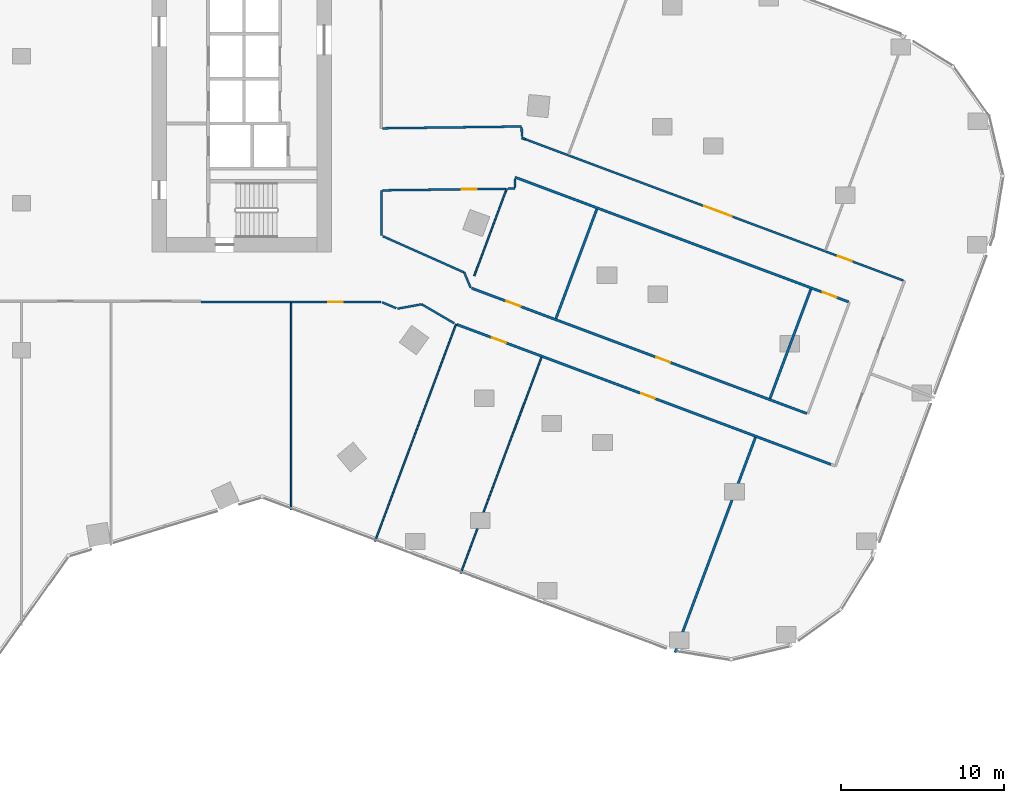
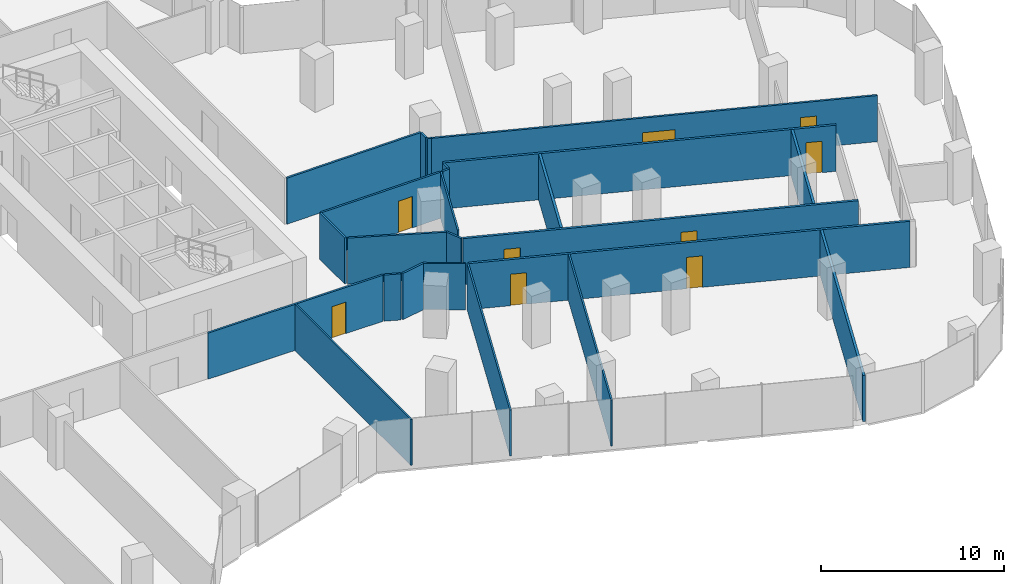
# One storey, part 26 of 31: 24 walls, 9 doors, 9 openings.
"""IFC4 building model written with IfcOpenShell, lengths in metres."""

from ifc_helpers import new_model, si_unit, direction, frame, frame_2d, origin, place, context, subcontext, project, spatial, rectangle, extrude, material, layer, layer_set, type_object, element, fill, save


model = new_model("IFC4")

# Units and contexts
model_context = context("Model", 3, precision=1e-05, world=origin(), true_north=direction((0.0, 1.0)))
body_context = subcontext(model_context, "Body", "Model", "MODEL_VIEW")
ifc_project = project(units=[si_unit("LENGTHUNIT", "METRE"), si_unit("AREAUNIT", "SQUARE_METRE"), si_unit("VOLUMEUNIT", "CUBIC_METRE"), si_unit("PLANEANGLEUNIT", "RADIAN"), si_unit("MASSUNIT", "GRAM", prefix="KILO")], contexts=[model_context])

# Site, building, storey
site_placement = place(None, origin())
site = spatial("IfcSite", under=ifc_project, at=site_placement, CompositionType="ELEMENT")
building_placement = place(site_placement, origin())
building = spatial("IfcBuilding", under=site, at=building_placement, Name="Orlundy Tower", CompositionType="ELEMENT")
storey_placement = place(building_placement, frame((0.0, 0.0, 94.699951171875)))
storey = spatial("IfcBuildingStorey", under=building, at=storey_placement, Name="L23", CompositionType="ELEMENT", Elevation=94.699951171875)

# Walls
ifc_material_1 = material(Name="Gypsum board partition")
ifc_layer_1 = layer(ifc_material_1, 0.10009765625)
ifc_layer_set_1 = layer_set([ifc_layer_1], Name="Floor partition 100")
wall_type_1 = type_object("IfcWallType", Name="Floor partition 100", PredefinedType="PARTITIONING", material=ifc_layer_set_1)
wall_1_placement = place(storey_placement, frame((26.909912109375, -31.679931640625, 0.0), z_axis=(0.0, 0.0, 1.0), x_axis=(0.350179920227, 0.936682456049, 0.0)))
element("IfcWall", 1, at=wall_1_placement, inside=storey, type_object=wall_type_1, Name="wall-int-L23-066", PredefinedType="PARTITIONING", context=body_context, shape_type="SweptSolid", body=[
    extrude(rectangle(XDim=14.124267578125, YDim=0.10009765625, at=frame_2d((7.06201171875, 0.0))), origin(), (0.0, 0.0, 1.0), 3.080078125),
])
wall_2_placement = place(storey_placement, frame((21.657958984375, -29.717041015625, 0.0), z_axis=(0.0, 0.0, 1.0), x_axis=(0.350213245568, 0.936669996652, 0.0)))
element("IfcWall", 2, at=wall_2_placement, inside=storey, type_object=wall_type_1, Name="wall-int-L23-069", PredefinedType="PARTITIONING", context=body_context, shape_type="SweptSolid", body=[
    extrude(rectangle(XDim=14.200439453125, YDim=0.10009765625, at=frame_2d((7.10009765625, 0.0))), origin(), (0.0, 0.0, 1.0), 3.080078125),
])
wall_3_placement = place(storey_placement, frame((27.741943359375, -13.445068359375, 0.0), z_axis=(0.0, 0.0, 1.0), x_axis=(0.350126252707, 0.936702517967, 0.0)))
element("IfcWall", 3, at=wall_3_placement, inside=storey, type_object=wall_type_1, Name="wall-int-L23-070", PredefinedType="PARTITIONING", context=body_context, shape_type="SweptSolid", body=[
    extrude(rectangle(XDim=5.689208984375, YDim=0.10009765625, at=frame_2d((2.8447265625, 0.0))), origin(), (0.0, 0.0, 1.0), 3.080078125),
])
wall_4_placement = place(storey_placement, frame((16.51806640625, -27.794921875, 0.0), z_axis=(0.0, 0.0, 1.0), x_axis=(0.0, 1.0, 0.0)))
element("IfcWall", 4, at=wall_4_placement, inside=storey, type_object=wall_type_1, Name="wall-int-L23-077", PredefinedType="PARTITIONING", context=body_context, shape_type="SweptSolid", body=[
    extrude(rectangle(XDim=12.680908203125, YDim=0.10009765625, at=frame_2d((6.34033203125, 0.0))), origin(), (0.0, 0.0, 1.0), 3.080078125),
])
ifc_material_2 = material(Name="Gypsum board partition, double layer")
ifc_layer_2 = layer(ifc_material_2, 0.125)
ifc_layer_set_2 = layer_set([ifc_layer_2], Name="Floor partition 125")
wall_type_2 = type_object("IfcWallType", Name="Floor partition 125", PredefinedType="PARTITIONING", material=ifc_layer_set_2)
wall_5_placement = place(storey_placement, frame((30.239990234375, -7.514892578125, 0.0), z_axis=(0.0, 0.0, 1.0), x_axis=(0.013301575401, -0.999911530132, 0.0)))
element("IfcWall", 5, at=wall_5_placement, inside=storey, type_object=wall_type_2, Name="wall-int-L23-001", PredefinedType="PARTITIONING", context=body_context, shape_type="SweptSolid", body=[
    extrude(rectangle(XDim=0.5322265625, YDim=0.125, at=frame_2d((0.26611328125, 0.0))), origin(), (0.0, 0.0, 1.0), 3.080078125),
])
wall_6_placement = place(storey_placement, frame((30.64990234375, -4.365966796875, 0.0), z_axis=(0.0, 0.0, 1.0), x_axis=(0.012962701582, -0.999915980654, 0.0)))
element("IfcWall", 6, at=wall_6_placement, inside=storey, type_object=wall_type_2, Name="wall-int-L23-002", PredefinedType="PARTITIONING", context=body_context, shape_type="SweptSolid", body=[
    extrude(rectangle(XDim=0.546142578125, YDim=0.125, at=frame_2d((0.27294921875, 0.0))), origin(), (0.0, 0.0, 1.0), 3.080078125),
])
wall_7_placement = place(storey_placement, frame((24.52099609375, -15.194091796875, 0.0), z_axis=(0.0, 0.0, 1.0), x_axis=(0.863352795858, -0.504600782683, 0.0)))
element("IfcWall", 7, at=wall_7_placement, inside=storey, type_object=wall_type_2, Name="wall-int-L23-006", PredefinedType="PARTITIONING", context=body_context, shape_type="SweptSolid", body=[
    extrude(rectangle(XDim=2.308349609375, YDim=0.125, at=frame_2d((1.154296875, 0.0))), origin(), (0.0, 0.0, 1.0), 3.080078125),
])
wall_8_placement = place(storey_placement, frame((22.962890625, -15.43505859375, 0.0), z_axis=(0.0, 0.0, 1.0), x_axis=(-0.922689792095, 0.385543185082, 0.0)))
element("IfcWall", 8, at=wall_8_placement, inside=storey, type_object=wall_type_2, Name="wall-int-L23-020", PredefinedType="PARTITIONING", context=body_context, shape_type="SweptSolid", body=[
    extrude(rectangle(XDim=0.93408203125, YDim=0.125, at=frame_2d((0.467041015625, 0.0))), origin(), (0.0, 0.0, 1.0), 3.080078125),
])
wall_9_placement = place(storey_placement, frame((27.1298828125, -13.2470703125, 0.0), z_axis=(0.0, 0.0, 1.0), x_axis=(-0.913542302976, 0.406743728498, 0.0)))
element("IfcWall", 9, at=wall_9_placement, inside=storey, type_object=wall_type_2, Name="wall-int-L23-021", PredefinedType="PARTITIONING", context=body_context, shape_type="SweptSolid", body=[
    extrude(rectangle(XDim=5.46337890625, YDim=0.125, at=frame_2d((2.731689453125, 0.0))), origin(), (0.0, 0.0, 1.0), 3.080078125),
])

# Wall, openings, doors
wall_10_placement = place(storey_placement, frame((30.868896484375, -5.08203125, 0.0), z_axis=(0.0, 0.0, 1.0), x_axis=(0.936726175225, -0.350062955264, 0.0)))
wall_10 = element("IfcWall", 10, at=wall_10_placement, inside=storey, type_object=wall_type_2, Name="wall-int-L23-027", PredefinedType="PARTITIONING", context=body_context, shape_type="SweptSolid", body=[
    extrude(rectangle(XDim=24.729736328125, YDim=0.125, at=frame_2d((12.36474609375, 0.0))), origin(), (0.0, 0.0, 1.0), 3.080078125),
])
opening_1_placement = place(wall_10_placement, frame((11.705810546875, 0.0, 0.0)))
opening_1 = element("IfcOpeningElement", 11, at=opening_1_placement, cuts=wall_10, Name="Opening 18100", PredefinedType="OPENING", context=body_context, shape_type="SweptSolid", body=[
    extrude(rectangle(XDim=1.800048828125, YDim=2.10009765625, at=frame_2d((0.89990234375, 1.050048828125))), frame((0.0, 0.072509765625, 0.0), z_axis=(0.0, -1.0, 0.0), x_axis=(1.0, 0.0, 0.0)), (0.0, 0.0, 1.0), 0.14501953125),
])
opening_2_placement = place(wall_10_placement, frame((20.45654296875, 0.0, 0.0)))
opening_2 = element("IfcOpeningElement", 12, at=opening_2_placement, cuts=wall_10, Name="Opening 18104", PredefinedType="OPENING", context=body_context, shape_type="SweptSolid", body=[
    extrude(rectangle(XDim=0.89990234375, YDim=2.10009765625, at=frame_2d((0.449951171875, 1.050048828125))), frame((0.0, 0.072509765625, 0.0), z_axis=(0.0, -1.0, 0.0), x_axis=(1.0, 0.0, 0.0)), (0.0, 0.0, 1.0), 0.14501953125),
])
ifc_material_3 = material(Name="Timber door leaf", Category="wood")
door_type_1 = type_object("IfcDoorType", Name="Floor door double 1800 FD30S", OperationType="NOTDEFINED", PredefinedType="DOOR", material=ifc_material_3)
door_1_placement = place(opening_1_placement, origin())
door_1 = element("IfcDoor", 13, at=door_1_placement, inside=storey, type_object=door_type_1, Name="Door 18100", OperationType="DOUBLE_DOOR_SINGLE_SWING", OverallHeight=2.10009765625, OverallWidth=1.800048828125, PredefinedType="DOOR", context=body_context, shape_type="SweptSolid", body=[
    extrude(rectangle(XDim=1.800048828125, YDim=2.10009765625, at=frame_2d((0.89990234375, 1.050048828125))), frame((0.0, 0.02490234375, 0.0), z_axis=(0.0, -1.0, 0.0), x_axis=(1.0, 0.0, 0.0)), (0.0, 0.0, 1.0), 0.050048828125),
])
fill(opening_1, door_1)
ifc_material_4 = material(Name="Timber door leaf", Category="wood")
door_type_2 = type_object("IfcDoorType", Name="Floor door single 900 FD30S", OperationType="NOTDEFINED", PredefinedType="DOOR", material=ifc_material_4)
door_2_placement = place(opening_2_placement, origin())
door_2 = element("IfcDoor", 14, at=door_2_placement, inside=storey, type_object=door_type_2, Name="Door 18104", OperationType="SINGLE_SWING_RIGHT", OverallHeight=2.10009765625, OverallWidth=0.89990234375, PredefinedType="DOOR", context=body_context, shape_type="SweptSolid", body=[
    extrude(rectangle(XDim=0.89990234375, YDim=2.10009765625, at=frame_2d((0.449951171875, 1.050048828125))), frame((0.0, 0.02490234375, 0.0), z_axis=(0.0, -1.0, 0.0), x_axis=(1.0, 0.0, 0.0)), (0.0, 0.0, 1.0), 0.050048828125),
])
fill(opening_2, door_2)

# Wall
wall_11_placement = place(storey_placement, frame((30.657958984375, -5.0029296875, 0.0), z_axis=(0.0, 0.0, 1.0), x_axis=(0.936329177569, -0.351123441588, 0.0)))
element("IfcWall", 15, at=wall_11_placement, inside=storey, type_object=wall_type_2, Name="wall-int-L23-028", PredefinedType="PARTITIONING", context=body_context, shape_type="SweptSolid", body=[
    extrude(rectangle(XDim=0.225341796875, YDim=0.125, at=frame_2d((0.11279296875, 0.0))), origin(), (0.0, 0.0, 1.0), 3.080078125),
])

# Wall, opening, door
wall_12_placement = place(storey_placement, frame((22.04296875, -15.051025390625, 0.0), z_axis=(0.0, 0.0, 1.0), x_axis=(-1.0, 0.0, 0.0)))
wall_12 = element("IfcWall", 16, at=wall_12_placement, inside=storey, type_object=wall_type_2, Name="wall-int-L23-033", PredefinedType="PARTITIONING", context=body_context, shape_type="SweptSolid", body=[
    extrude(rectangle(XDim=11.052001953125, YDim=0.125, at=frame_2d((5.52587890625, 0.0))), origin(), (0.0, 0.0, 1.0), 3.080078125),
])
opening_3_placement = place(wall_12_placement, frame((2.35009765625, 0.0, 0.0)))
opening_3 = element("IfcOpeningElement", 17, at=opening_3_placement, cuts=wall_12, Name="Opening 18128", PredefinedType="OPENING", context=body_context, shape_type="SweptSolid", body=[
    extrude(rectangle(XDim=0.89990234375, YDim=2.10009765625, at=frame_2d((0.449951171875, 1.050048828125))), frame((0.0, 0.072509765625, 0.0), z_axis=(0.0, -1.0, 0.0), x_axis=(1.0, 0.0, 0.0)), (0.0, 0.0, 1.0), 0.14501953125),
])
door_3_placement = place(opening_3_placement, origin())
door_3 = element("IfcDoor", 18, at=door_3_placement, inside=storey, type_object=door_type_2, Name="Door 18128", OperationType="SINGLE_SWING_LEFT", OverallHeight=2.10009765625, OverallWidth=0.89990234375, PredefinedType="DOOR", context=body_context, shape_type="SweptSolid", body=[
    extrude(rectangle(XDim=0.89990234375, YDim=2.10009765625, at=frame_2d((0.449951171875, 1.050048828125))), frame((0.0, 0.02490234375, 0.0), z_axis=(0.0, -1.0, 0.0), x_axis=(1.0, 0.0, 0.0)), (0.0, 0.0, 1.0), 0.050048828125),
])
fill(opening_3, door_3)

wall_13_placement = place(storey_placement, frame((29.653076171875, -8.118896484375, 0.0), z_axis=(0.0, 0.0, 1.0), x_axis=(-0.999920277631, -0.012626891215, 0.0)))
wall_13 = element("IfcWall", 19, at=wall_13_placement, inside=storey, type_object=wall_type_2, Name="wall-int-L23-042", PredefinedType="PARTITIONING", context=body_context, shape_type="SweptSolid", body=[
    extrude(rectangle(XDim=7.54052734375, YDim=0.125, at=frame_2d((3.770263671875, 0.0))), origin(), (0.0, 0.0, 1.0), 3.080078125),
])
opening_4_placement = place(wall_13_placement, frame((1.769287109375, 0.0, 0.0)))
opening_4 = element("IfcOpeningElement", 20, at=opening_4_placement, cuts=wall_13, Name="Opening 18129", PredefinedType="OPENING", context=body_context, shape_type="SweptSolid", body=[
    extrude(rectangle(XDim=0.89990234375, YDim=2.10009765625, at=frame_2d((0.449951171875, 1.050048828125))), frame((0.0, 0.072509765625, 0.0), z_axis=(0.0, -1.0, 0.0), x_axis=(1.0, 0.0, 0.0)), (0.0, 0.0, 1.0), 0.14501953125),
])
door_4_placement = place(opening_4_placement, origin())
door_4 = element("IfcDoor", 21, at=door_4_placement, inside=storey, type_object=door_type_2, Name="Door 18129", OperationType="SINGLE_SWING_LEFT", OverallHeight=2.10009765625, OverallWidth=0.89990234375, PredefinedType="DOOR", context=body_context, shape_type="SweptSolid", body=[
    extrude(rectangle(XDim=0.89990234375, YDim=2.10009765625, at=frame_2d((0.449951171875, 1.050048828125))), frame((0.0, 0.02490234375, 0.0), z_axis=(0.0, -1.0, 0.0), x_axis=(1.0, 0.0, 0.0)), (0.0, 0.0, 1.0), 0.050048828125),
])
fill(opening_4, door_4)

# Walls
wall_14_placement = place(storey_placement, frame((22.113037109375, -4.4130859375, 0.0), z_axis=(0.0, 0.0, 1.0), x_axis=(0.999916794721, 0.012899753266, 0.0)))
element("IfcWall", 22, at=wall_14_placement, inside=storey, type_object=wall_type_2, Name="wall-int-L23-043", PredefinedType="PARTITIONING", context=body_context, shape_type="SweptSolid", body=[
    extrude(rectangle(XDim=8.53564453125, YDim=0.125, at=frame_2d((4.267822265625, 0.0))), origin(), (0.0, 0.0, 1.0), 3.080078125),
])
wall_15_placement = place(storey_placement, frame((29.81201171875, -8.114990234375, 0.0), z_axis=(0.0, 0.0, 1.0), x_axis=(0.999902045747, 0.013996389218, 0.0)))
element("IfcWall", 23, at=wall_15_placement, inside=storey, type_object=wall_type_2, Name="wall-int-L23-044", PredefinedType="PARTITIONING", context=body_context, shape_type="SweptSolid", body=[
    extrude(rectangle(XDim=0.43603515625, YDim=0.125, at=frame_2d((0.218017578125, 0.0))), origin(), (0.0, 0.0, 1.0), 3.080078125),
])
wall_16_placement = place(storey_placement, frame((23.037109375, -15.465087890625, 0.0), z_axis=(0.0, 0.0, 1.0), x_axis=(0.983729770304, 0.179654499019, 0.0)))
element("IfcWall", 24, at=wall_16_placement, inside=storey, type_object=wall_type_2, Name="wall-int-L23-050", PredefinedType="PARTITIONING", context=body_context, shape_type="SweptSolid", body=[
    extrude(rectangle(XDim=1.508544921875, YDim=0.125, at=frame_2d((0.75439453125, 0.0))), origin(), (0.0, 0.0, 1.0), 3.080078125),
])
wall_17_placement = place(storey_placement, frame((27.52294921875, -14.18701171875, 0.0), z_axis=(0.0, 0.0, 1.0), x_axis=(-0.385806130442, 0.922579877145, 0.0)))
element("IfcWall", 25, at=wall_17_placement, inside=storey, type_object=wall_type_2, Name="wall-int-L23-060", PredefinedType="PARTITIONING", context=body_context, shape_type="SweptSolid", body=[
    extrude(rectangle(XDim=1.018798828125, YDim=0.125, at=frame_2d((0.50927734375, 0.0))), origin(), (0.0, 0.0, 1.0), 3.080078125),
])
wall_18_placement = place(storey_placement, frame((22.051025390625, -10.986083984375, 0.0), z_axis=(0.0, 0.0, 1.0), x_axis=(0.0, 1.0, 0.0)))
element("IfcWall", 26, at=wall_18_placement, inside=storey, type_object=wall_type_2, Name="wall-int-L23-075", PredefinedType="PARTITIONING", context=body_context, shape_type="SweptSolid", body=[
    extrude(rectangle(XDim=2.77099609375, YDim=0.125, at=frame_2d((1.385498046875, 0.0))), origin(), (0.0, 0.0, 1.0), 3.080078125),
])

# Wall, openings, doors
ifc_material_5 = material(Name="Blockwork shaft wall", Category="masonry")
ifc_layer_3 = layer(ifc_material_5, 0.14990234375)
ifc_layer_set_3 = layer_set([ifc_layer_3], Name="Floor shaft wall 150")
wall_type_3 = type_object("IfcWallType", Name="Floor shaft wall 150", PredefinedType="PARTITIONING", material=ifc_layer_set_3)
wall_19_placement = place(storey_placement, frame((49.5849609375, -25.0009765625, 0.0), z_axis=(0.0, 0.0, 1.0), x_axis=(-0.936641004212, 0.350290778111, 0.0)))
wall_19 = element("IfcWall", 27, at=wall_19_placement, inside=storey, type_object=wall_type_3, Name="wall-int-L23-023", PredefinedType="PARTITIONING", context=body_context, shape_type="SweptSolid", body=[
    extrude(rectangle(XDim=24.45654296875, YDim=0.14990234375, at=frame_2d((12.228271484375, 0.0))), origin(), (0.0, 0.0, 1.0), 3.080078125),
])
opening_5_placement = place(wall_19_placement, frame((21.25048828125, 0.0, 0.0)))
opening_5 = element("IfcOpeningElement", 28, at=opening_5_placement, cuts=wall_19, Name="Opening 18107", PredefinedType="OPENING", context=body_context, shape_type="SweptSolid", body=[
    extrude(rectangle(XDim=0.89990234375, YDim=2.10009765625, at=frame_2d((0.449951171875, 1.050048828125))), frame((0.0, 0.0849609375, 0.0), z_axis=(0.0, -1.0, 0.0), x_axis=(1.0, 0.0, 0.0)), (0.0, 0.0, 1.0), 0.169921875),
])
opening_6_placement = place(wall_19_placement, frame((11.5, 0.0, 0.0)))
opening_6 = element("IfcOpeningElement", 29, at=opening_6_placement, cuts=wall_19, Name="Opening 18108", PredefinedType="OPENING", context=body_context, shape_type="SweptSolid", body=[
    extrude(rectangle(XDim=0.89990234375, YDim=2.10009765625, at=frame_2d((0.449951171875, 1.050048828125))), frame((0.0, 0.0849609375, 0.0), z_axis=(0.0, -1.0, 0.0), x_axis=(1.0, 0.0, 0.0)), (0.0, 0.0, 1.0), 0.169921875),
])
ifc_material_6 = material(Name="Timber door leaf", Category="wood")
door_type_3 = type_object("IfcDoorType", Name="Floor door single 900 FD60", OperationType="NOTDEFINED", PredefinedType="DOOR", material=ifc_material_6)
door_5_placement = place(opening_5_placement, origin())
door_5 = element("IfcDoor", 30, at=door_5_placement, inside=storey, type_object=door_type_3, Name="Door 18107", OperationType="SINGLE_SWING_RIGHT", OverallHeight=2.10009765625, OverallWidth=0.89990234375, PredefinedType="DOOR", context=body_context, shape_type="SweptSolid", body=[
    extrude(rectangle(XDim=0.89990234375, YDim=2.10009765625, at=frame_2d((0.449951171875, 1.050048828125))), frame((0.0, 0.02490234375, 0.0), z_axis=(0.0, -1.0, 0.0), x_axis=(1.0, 0.0, 0.0)), (0.0, 0.0, 1.0), 0.050048828125),
])
fill(opening_5, door_5)
door_6_placement = place(opening_6_placement, origin())
door_6 = element("IfcDoor", 31, at=door_6_placement, inside=storey, type_object=door_type_3, Name="Door 18108", OperationType="SINGLE_SWING_LEFT", OverallHeight=2.10009765625, OverallWidth=0.89990234375, PredefinedType="DOOR", context=body_context, shape_type="SweptSolid", body=[
    extrude(rectangle(XDim=0.89990234375, YDim=2.10009765625, at=frame_2d((0.449951171875, 1.050048828125))), frame((0.0, 0.02490234375, 0.0), z_axis=(0.0, -1.0, 0.0), x_axis=(1.0, 0.0, 0.0)), (0.0, 0.0, 1.0), 0.050048828125),
])
fill(opening_6, door_6)

wall_20_placement = place(storey_placement, frame((27.5830078125, -14.208984375, 0.0), z_axis=(0.0, 0.0, 1.0), x_axis=(0.936658709203, -0.350243433164, 0.0)))
wall_20 = element("IfcWall", 32, at=wall_20_placement, inside=storey, type_object=wall_type_3, Name="wall-int-L23-024", PredefinedType="PARTITIONING", context=body_context, shape_type="SweptSolid", body=[
    extrude(rectangle(XDim=21.924560546875, YDim=0.14990234375, at=frame_2d((10.96240234375, 0.0))), origin(), (0.0, 0.0, 1.0), 3.080078125),
])
opening_7_placement = place(wall_20_placement, frame((2.28759765625, 0.0, 0.0)))
opening_7 = element("IfcOpeningElement", 33, at=opening_7_placement, cuts=wall_20, Name="Opening 18101", PredefinedType="OPENING", context=body_context, shape_type="SweptSolid", body=[
    extrude(rectangle(XDim=0.89990234375, YDim=2.10009765625, at=frame_2d((0.449951171875, 1.050048828125))), frame((0.0, 0.0849609375, 0.0), z_axis=(0.0, -1.0, 0.0), x_axis=(1.0, 0.0, 0.0)), (0.0, 0.0, 1.0), 0.169921875),
])
opening_8_placement = place(wall_20_placement, frame((12.088134765625, 0.0, 0.0)))
opening_8 = element("IfcOpeningElement", 34, at=opening_8_placement, cuts=wall_20, Name="Opening 18102", PredefinedType="OPENING", context=body_context, shape_type="SweptSolid", body=[
    extrude(rectangle(XDim=0.89990234375, YDim=2.10009765625, at=frame_2d((0.449951171875, 1.050048828125))), frame((0.0, 0.0849609375, 0.0), z_axis=(0.0, -1.0, 0.0), x_axis=(1.0, 0.0, 0.0)), (0.0, 0.0, 1.0), 0.169921875),
])
door_7_placement = place(opening_7_placement, origin())
door_7 = element("IfcDoor", 35, at=door_7_placement, inside=storey, type_object=door_type_3, Name="Door 18101", OperationType="SINGLE_SWING_LEFT", OverallHeight=2.10009765625, OverallWidth=0.89990234375, PredefinedType="DOOR", context=body_context, shape_type="SweptSolid", body=[
    extrude(rectangle(XDim=0.89990234375, YDim=2.10009765625, at=frame_2d((0.449951171875, 1.050048828125))), frame((0.0, 0.02490234375, 0.0), z_axis=(0.0, -1.0, 0.0), x_axis=(1.0, 0.0, 0.0)), (0.0, 0.0, 1.0), 0.050048828125),
])
fill(opening_7, door_7)
door_8_placement = place(opening_8_placement, origin())
door_8 = element("IfcDoor", 36, at=door_8_placement, inside=storey, type_object=door_type_3, Name="Door 18102", OperationType="SINGLE_SWING_RIGHT", OverallHeight=2.10009765625, OverallWidth=0.89990234375, PredefinedType="DOOR", context=body_context, shape_type="SweptSolid", body=[
    extrude(rectangle(XDim=0.89990234375, YDim=2.10009765625, at=frame_2d((0.449951171875, 1.050048828125))), frame((0.0, 0.02490234375, 0.0), z_axis=(0.0, -1.0, 0.0), x_axis=(1.0, 0.0, 0.0)), (0.0, 0.0, 1.0), 0.050048828125),
])
fill(opening_8, door_8)

# Wall, opening, door
wall_21_placement = place(storey_placement, frame((50.676025390625, -15.049072265625, 0.0), z_axis=(0.0, 0.0, 1.0), x_axis=(-0.936701134279, 0.350129954505, 0.0)))
wall_21 = element("IfcWall", 37, at=wall_21_placement, inside=storey, type_object=wall_type_3, Name="wall-int-L23-026", PredefinedType="PARTITIONING", context=body_context, shape_type="SweptSolid", body=[
    extrude(rectangle(XDim=21.818115234375, YDim=0.14990234375, at=frame_2d((10.9091796875, 0.0))), origin(), (0.0, 0.0, 1.0), 3.080078125),
])
opening_9_placement = place(wall_21_placement, frame((0.78759765625, 0.0, 0.0)))
opening_9 = element("IfcOpeningElement", 38, at=opening_9_placement, cuts=wall_21, Name="Opening 18103", PredefinedType="OPENING", context=body_context, shape_type="SweptSolid", body=[
    extrude(rectangle(XDim=0.89990234375, YDim=2.10009765625, at=frame_2d((0.449951171875, 1.050048828125))), frame((0.0, 0.0849609375, 0.0), z_axis=(0.0, -1.0, 0.0), x_axis=(1.0, 0.0, 0.0)), (0.0, 0.0, 1.0), 0.169921875),
])
door_9_placement = place(opening_9_placement, origin())
door_9 = element("IfcDoor", 39, at=door_9_placement, inside=storey, type_object=door_type_3, Name="Door 18103", OperationType="SINGLE_SWING_LEFT", OverallHeight=2.10009765625, OverallWidth=0.89990234375, PredefinedType="DOOR", context=body_context, shape_type="SweptSolid", body=[
    extrude(rectangle(XDim=0.89990234375, YDim=2.10009765625, at=frame_2d((0.449951171875, 1.050048828125))), frame((0.0, 0.02490234375, 0.0), z_axis=(0.0, -1.0, 0.0), x_axis=(1.0, 0.0, 0.0)), (0.0, 0.0, 1.0), 0.050048828125),
])
fill(opening_9, door_9)

# Walls
wall_22_placement = place(storey_placement, frame((40.0419921875, -36.531982421875, 0.0), z_axis=(0.0, 0.0, 1.0), x_axis=(0.350242868869, 0.936658920209, 0.0)))
element("IfcWall", 40, at=wall_22_placement, inside=storey, type_object=wall_type_3, Name="wall-int-L23-063", PredefinedType="PARTITIONING", context=body_context, shape_type="SweptSolid", body=[
    extrude(rectangle(XDim=14.070068359375, YDim=0.14990234375, at=frame_2d((7.03515625, 0.0))), origin(), (0.0, 0.0, 1.0), 3.080078125),
])
for number, where, z_axis, x_axis, name in (
    (41, (45.863037109375, -20.964111328125, 0.0), (0.0, 0.0, 1.0), (0.35020646324, 0.936672532481, 0.0), "wall-int-L23-064"),
    (42, (32.7490234375, -16.06103515625, 0.0), (0.0, 0.0, 1.0), (0.35020646324, 0.936672532481, 0.0), "wall-int-L23-067"),
):
    element("IfcWall", number, at=place(storey_placement, frame(where, z_axis=z_axis, x_axis=x_axis)), inside=storey, type_object=wall_type_3, Name=name, PredefinedType="PARTITIONING", context=body_context, shape_type="SweptSolid", body=[
        extrude(rectangle(XDim=7.14990234375, YDim=0.14990234375, at=frame_2d((3.574951171875, 0.0))), origin(), (0.0, 0.0, 1.0), 3.080078125),
    ])

save(model, "model.ifc")
